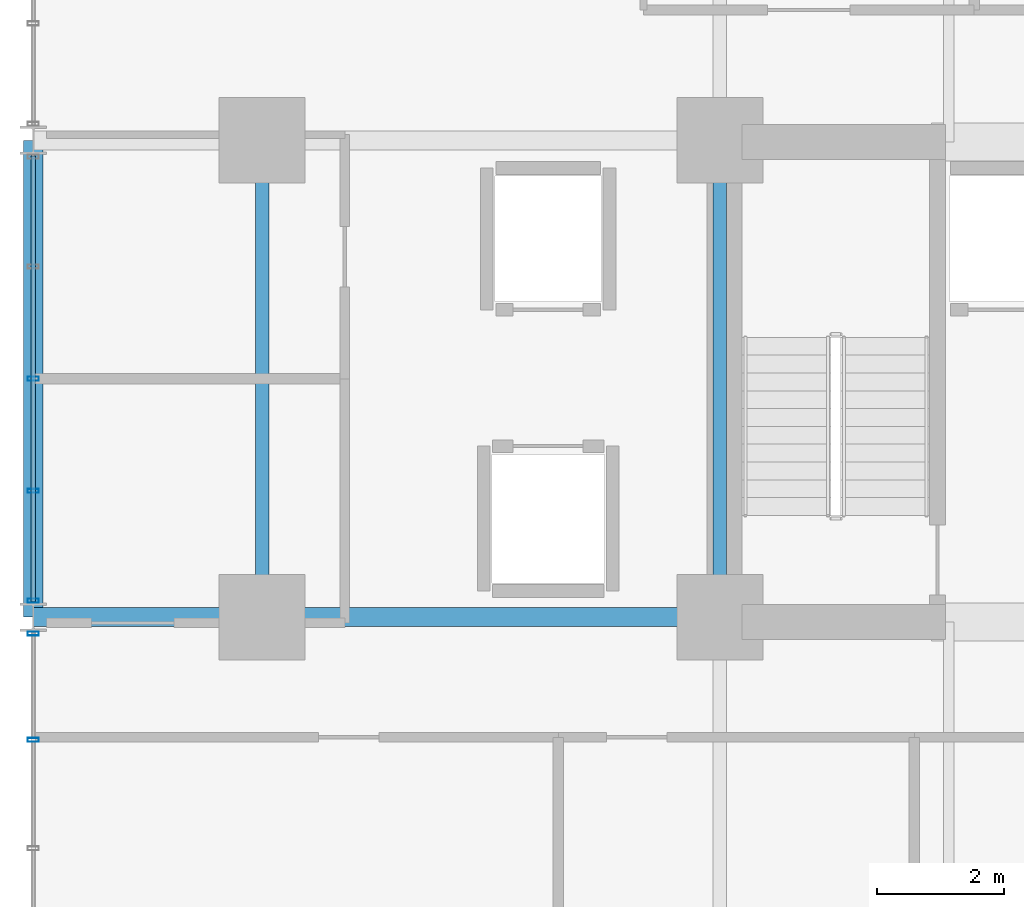
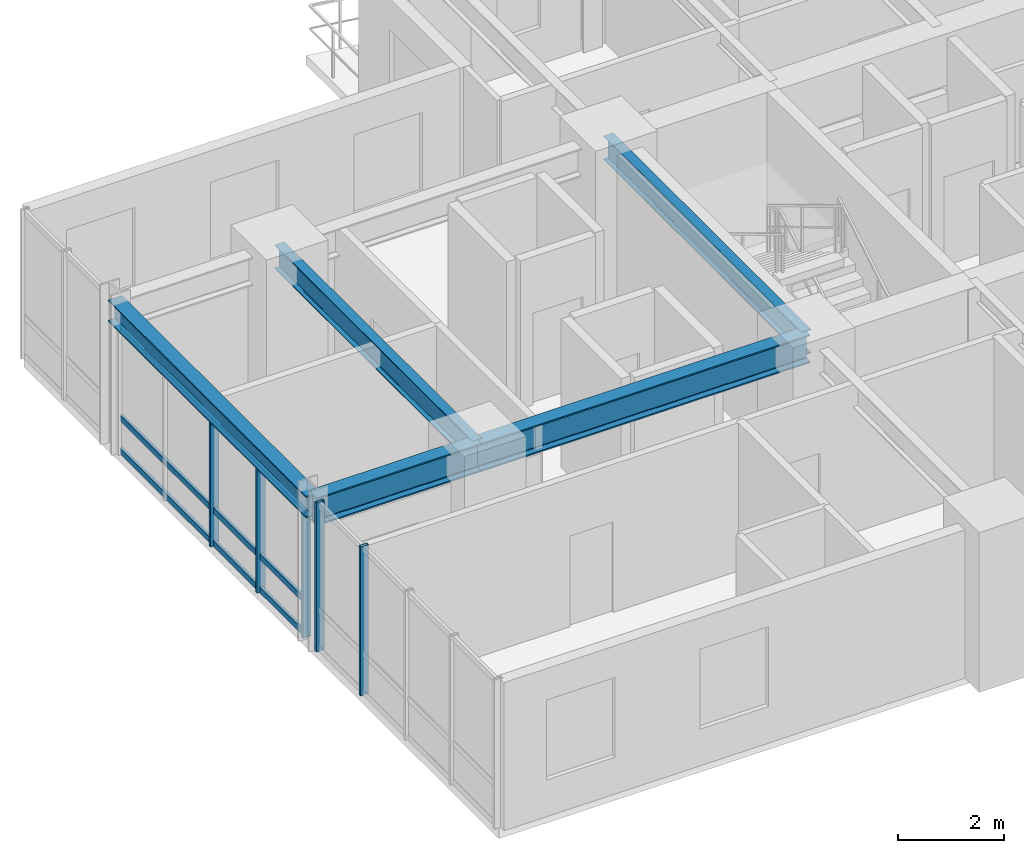
# One storey, part 4 of 17: 8 members, 5 beams, 2 elements without a shape of their own.
"""IFC4 building model written with IfcOpenShell, lengths in metres."""

from ifc_helpers import new_model, si_unit, direction, frame, origin, origin_2d, place, context, subcontext, project, spatial, hollow_rectangle, i_section, extrude, source, transform, mapped, material, layer, layer_set, material_profile, profile_set, type_object, element, aggregate, save


model = new_model("IFC4")

# Units and contexts
model_context = context("Model", 3, precision=1e-05, world=origin(), true_north=direction((0.0, 1.0)))
body_context = subcontext(model_context, "Body", "Model", "MODEL_VIEW")
ifc_project = project(units=[si_unit("LENGTHUNIT", "METRE"), si_unit("AREAUNIT", "SQUARE_METRE"), si_unit("VOLUMEUNIT", "CUBIC_METRE"), si_unit("PLANEANGLEUNIT", "RADIAN"), si_unit("MASSUNIT", "GRAM", prefix="KILO")], contexts=[model_context])

# Site, building, storey
site_placement = place(None, origin())
site = spatial("IfcSite", under=ifc_project, at=site_placement, CompositionType="ELEMENT")
building_placement = place(site_placement, origin())
building = spatial("IfcBuilding", under=site, at=building_placement, Name="Kaliganga Portal Commons", CompositionType="ELEMENT")
storey_placement = place(building_placement, frame((0.0, 0.0, 62.300048828125)))
storey = spatial("IfcBuildingStorey", under=building, at=storey_placement, Name="L15", CompositionType="ELEMENT", Elevation=62.300048828125)

# Beams
ifc_material_1 = material(Name="Structural steel S355J2", Category="steel")
ifc_material_profile_1 = material_profile(ifc_material_1, i_section(OverallWidth=0.300048828125, OverallDepth=0.5, WebThickness=0.014404296875, FlangeThickness=0.028076171875, FilletRadius=0.027099609375, at=origin_2d()), Name="HE 500 B")
ifc_profile_set_1 = profile_set([ifc_material_profile_1], Name="Structural steel S355J2 wide-flange")
beam_type_1 = type_object("IfcBeamType", Name="BM-SPAND-500", PredefinedType="SPANDREL", material=ifc_profile_set_1)
shared_shape_1 = source(origin(), body_context, "Body", "SweptSolid", [
    extrude(i_section(OverallWidth=0.300048828125, OverallDepth=0.5, WebThickness=0.014404296875, FlangeThickness=0.028076171875, FilletRadius=0.027099609375, at=origin_2d()), origin(), (0.0, 0.0, 1.0), 7.5),
])
beam_1_placement = place(storey_placement, frame((3.60009765625, 28.64990234375, 3.199951171875), z_axis=(0.0, 1.0, 0.0), x_axis=(-1.0, 0.0, 0.0)))
element("IfcBeam", 1, at=beam_1_placement, inside=storey, type_object=beam_type_1, Name="BM SP L15 AW", PredefinedType="SPANDREL", context=body_context, shape_type="MappedRepresentation", body=[
    mapped(shared_shape_1, transform((0.0, 0.0, 0.0), x_axis=(1.0, 0.0, 0.0), y_axis=(0.0, 1.0, 0.0), z_axis=(0.0, 0.0, 1.0), scale=1.0)),
])
ifc_material_profile_2 = material_profile(ifc_material_1, i_section(OverallWidth=0.300048828125, OverallDepth=0.64990234375, WebThickness=0.01611328125, FlangeThickness=0.031005859375, FilletRadius=0.027099609375, at=origin_2d()), Name="HE 650 B")
ifc_profile_set_2 = profile_set([ifc_material_profile_2], Name="Structural steel S355J2 wide-flange")
beam_type_2 = type_object("IfcBeamType", Name="BM-GIRD-650", PredefinedType="USERDEFINED", material=ifc_profile_set_2)
shared_shape_2 = source(origin(), body_context, "Body", "SweptSolid", [
    extrude(i_section(OverallWidth=0.300048828125, OverallDepth=0.64990234375, WebThickness=0.01611328125, FlangeThickness=0.031005859375, FilletRadius=0.027099609375, at=origin_2d()), origin(), (0.0, 0.0, 1.0), 3.599853515625),
])
beam_2_placement = place(storey_placement, frame((3.60009765625, 28.64990234375, 3.125), z_axis=(1.0, 0.0, 0.0), x_axis=(0.0, 1.0, 0.0)))
element("IfcBeam", 2, at=beam_2_placement, inside=storey, type_object=beam_type_2, Name="BM G L15 WAH_S 1", ObjectType="GIRDER", PredefinedType="USERDEFINED", context=body_context, shape_type="MappedRepresentation", body=[
    mapped(shared_shape_2, transform((0.0, 0.0, 0.0), x_axis=(1.0, 0.0, 0.0), y_axis=(0.0, 1.0, 0.0), z_axis=(0.0, 0.0, 1.0), scale=1.0)),
])
shared_shape_3 = source(origin(), body_context, "Body", "SweptSolid", [
    extrude(i_section(OverallWidth=0.300048828125, OverallDepth=0.64990234375, WebThickness=0.01611328125, FlangeThickness=0.031005859375, FilletRadius=0.027099609375, at=origin_2d()), origin(), (0.0, 0.0, 1.0), 7.199951171875),
])
beam_3_placement = place(storey_placement, frame((7.199951171875, 28.64990234375, 3.125), z_axis=(1.0, 0.0, 0.0), x_axis=(0.0, 1.0, 0.0)))
element("IfcBeam", 3, at=beam_3_placement, inside=storey, type_object=beam_type_2, Name="BM G L15 WAH_S 2", ObjectType="GIRDER", PredefinedType="USERDEFINED", context=body_context, shape_type="MappedRepresentation", body=[
    mapped(shared_shape_3, transform((0.0, 0.0, 0.0), x_axis=(1.0, 0.0, 0.0), y_axis=(0.0, 1.0, 0.0), z_axis=(0.0, 0.0, 1.0), scale=1.0)),
])
ifc_material_profile_3 = material_profile(ifc_material_1, i_section(OverallWidth=0.2099609375, OverallDepth=0.550048828125, WebThickness=0.010986328125, FlangeThickness=0.01708984375, FilletRadius=0.02392578125, at=origin_2d()), Name="IPE 550")
ifc_profile_set_3 = profile_set([ifc_material_profile_3], Name="Structural steel S355J2 wide-flange")
beam_type_3 = type_object("IfcBeamType", Name="BM-FLR-550", PredefinedType="BEAM", material=ifc_profile_set_3)
shared_shape_4 = source(origin(), body_context, "Body", "SweptSolid", [
    extrude(i_section(OverallWidth=0.2099609375, OverallDepth=0.550048828125, WebThickness=0.010986328125, FlangeThickness=0.01708984375, FilletRadius=0.02392578125, at=origin_2d()), origin(), (0.0, 0.0, 1.0), 7.5),
])
for number, where, z_axis, x_axis, name in (
    (4, (7.199951171875, 28.64990234375, 3.175048828125), (0.0, 1.0, 0.0), (-1.0, 0.0, 0.0), "BM G L15 AW72"),
    (5, (14.39990234375, 28.64990234375, 3.175048828125), (0.0, 1.0, 0.0), (-1.0, 0.0, 0.0), "BM G L15 AM144"),
):
    element("IfcBeam", number, at=place(storey_placement, frame(where, z_axis=z_axis, x_axis=x_axis)), inside=storey, type_object=beam_type_3, Name=name, PredefinedType="BEAM", context=body_context, shape_type="MappedRepresentation", body=[
        mapped(shared_shape_4, transform((0.0, 0.0, 0.0), x_axis=(1.0, 0.0, 0.0), y_axis=(0.0, 1.0, 0.0), z_axis=(0.0, 0.0, 1.0), scale=1.0)),
    ])

# Curtain wall, members
ifc_material_2 = material(Name="Anodized Aluminium and Laminated Low-E Glass", Category="aluminium")
ifc_layer = layer(ifc_material_2, 0.199951171875)
ifc_layer_set = layer_set([ifc_layer], Name="Anodized Aluminium and Laminated Low-E Glass")
curtain_wall_type = type_object("IfcCurtainWallType", Name="CW-SYS-02", PredefinedType="NOTDEFINED", material=ifc_layer_set)
curtain_wall_1_placement = place(storey_placement, origin())
curtain_wall_1 = element("IfcCurtainWall", 6, at=curtain_wall_1_placement, inside=storey, type_object=curtain_wall_type, Name="CW 02 L15 P1E09S3", PredefinedType="NOTDEFINED")
ifc_material_3 = material(Name="Dark Bronze Anodized Aluminium", Category="aluminium")
ifc_material_profile_4 = material_profile(ifc_material_3, hollow_rectangle(XDim=0.06494140625, YDim=0.179931640625, WallThickness=0.00390625, at=origin_2d()), Name="ALU MULL 65x180x4")
ifc_profile_set_4 = profile_set([ifc_material_profile_4], Name="Dark Bronze Anodized Aluminium")
member_type_1 = type_object("IfcMemberType", Name="CW-MUL-180", PredefinedType="MULLION", material=ifc_profile_set_4)
shared_shape_5 = source(origin(), body_context, "Body", "SweptSolid", [
    extrude(hollow_rectangle(XDim=0.06494140625, YDim=0.179931640625, WallThickness=0.00390625, at=origin_2d()), origin(), (0.0, 0.0, 1.0), 3.449951171875),
])
member_1_placement = place(storey_placement, frame((3.60009765625, 28.39111328125, 0.0), z_axis=(0.0, 0.0, 1.0), x_axis=(0.0, -1.0, 0.0)))
member_1 = element("IfcMember", 7, at=member_1_placement, type_object=member_type_1, Name="CW:02:L15:P1E09S3 Mullion 00", PredefinedType="MULLION", context=body_context, shape_type="MappedRepresentation", body=[
    mapped(shared_shape_5, transform((0.0, 0.0, 0.0), x_axis=(1.0, 0.0, 0.0), y_axis=(0.0, 1.0, 0.0), z_axis=(0.0, 0.0, 1.0), scale=1.0)),
])
member_2_placement = place(storey_placement, frame((3.60009765625, 26.719482421875, 0.0), z_axis=(0.0, 0.0, 1.0), x_axis=(0.0, -1.0, 0.0)))
member_2 = element("IfcMember", 8, at=member_2_placement, type_object=member_type_1, Name="CW:02:L15:P1E09S3 Mullion 01", PredefinedType="MULLION", context=body_context, shape_type="MappedRepresentation", body=[
    mapped(shared_shape_5, transform((0.0, 0.0, 0.0), x_axis=(1.0, 0.0, 0.0), y_axis=(0.0, 1.0, 0.0), z_axis=(0.0, 0.0, 1.0), scale=1.0)),
])
aggregate(curtain_wall_1, [member_1, member_2])

curtain_wall_2_placement = place(storey_placement, origin())
curtain_wall_2 = element("IfcCurtainWall", 9, at=curtain_wall_2_placement, inside=storey, type_object=curtain_wall_type, Name="CW 02 L15 P1E09S2", PredefinedType="NOTDEFINED")
shared_shape_6 = source(origin(), body_context, "Body", "SweptSolid", [
    extrude(hollow_rectangle(XDim=0.06494140625, YDim=0.179931640625, WallThickness=0.00390625, at=origin_2d()), origin(), (0.0, 0.0, 1.0), 2.949951171875),
])
member_3_placement = place(storey_placement, frame((3.60009765625, 32.39990234375, 0.0), z_axis=(0.0, 0.0, 1.0), x_axis=(0.0, -1.0, 0.0)))
member_3 = element("IfcMember", 10, at=member_3_placement, type_object=member_type_1, Name="CW:02:L15:P1E09S2 Mullion 02", PredefinedType="MULLION", context=body_context, shape_type="MappedRepresentation", body=[
    mapped(shared_shape_6, transform((0.0, 0.0, 0.0), x_axis=(1.0, 0.0, 0.0), y_axis=(0.0, 1.0, 0.0), z_axis=(0.0, 0.0, 1.0), scale=1.0)),
])
member_4_placement = place(storey_placement, frame((3.60009765625, 30.636962890625, 0.0), z_axis=(0.0, 0.0, 1.0), x_axis=(0.0, -1.0, 0.0)))
member_4 = element("IfcMember", 11, at=member_4_placement, type_object=member_type_1, Name="CW:02:L15:P1E09S2 Mullion 03", PredefinedType="MULLION", context=body_context, shape_type="MappedRepresentation", body=[
    mapped(shared_shape_6, transform((0.0, 0.0, 0.0), x_axis=(1.0, 0.0, 0.0), y_axis=(0.0, 1.0, 0.0), z_axis=(0.0, 0.0, 1.0), scale=1.0)),
])
member_5_placement = place(storey_placement, frame((3.60009765625, 28.908935546875, 0.0), z_axis=(0.0, 0.0, 1.0), x_axis=(0.0, -1.0, 0.0)))
member_5 = element("IfcMember", 12, at=member_5_placement, type_object=member_type_1, Name="CW:02:L15:P1E09S2 Mullion 04", PredefinedType="MULLION", context=body_context, shape_type="MappedRepresentation", body=[
    mapped(shared_shape_6, transform((0.0, 0.0, 0.0), x_axis=(1.0, 0.0, 0.0), y_axis=(0.0, 1.0, 0.0), z_axis=(0.0, 0.0, 1.0), scale=1.0)),
])
ifc_material_profile_5 = material_profile(ifc_material_3, hollow_rectangle(XDim=0.06494140625, YDim=0.135009765625, WallThickness=0.00341796875, at=origin_2d()), Name="ALU TRAN 65x135x3.5")
ifc_profile_set_5 = profile_set([ifc_material_profile_5], Name="Dark Bronze Anodized Aluminium")
member_type_2 = type_object("IfcMemberType", Name="CW-TRN-135", PredefinedType="USERDEFINED", material=ifc_profile_set_5)
shared_shape_7 = source(origin(), body_context, "Body", "SweptSolid", [
    extrude(hollow_rectangle(XDim=0.06494140625, YDim=0.135009765625, WallThickness=0.00341796875, at=origin_2d()), origin(), (0.0, 0.0, 1.0), 7.011962890625),
])
member_6_placement = place(storey_placement, frame((3.60009765625, 35.906005859375, 0.06005859375), z_axis=(0.0, -1.0, 0.0), x_axis=(1.0, 0.0, 0.0)))
member_6 = element("IfcMember", 13, at=member_6_placement, type_object=member_type_2, Name="CW:02:L15:P1E09S2 Transom 1", ObjectType="TRANSOM", PredefinedType="USERDEFINED", context=body_context, shape_type="MappedRepresentation", body=[
    mapped(shared_shape_7, transform((0.0, 0.0, 0.0), x_axis=(1.0, 0.0, 0.0), y_axis=(0.0, 1.0, 0.0), z_axis=(0.0, 0.0, 1.0), scale=1.0)),
])
member_7_placement = place(storey_placement, frame((3.60009765625, 35.906005859375, 0.825927734375), z_axis=(0.0, -1.0, 0.0), x_axis=(1.0, 0.0, 0.0)))
member_7 = element("IfcMember", 14, at=member_7_placement, type_object=member_type_2, Name="CW:02:L15:P1E09S2 Transom 2", ObjectType="TRANSOM", PredefinedType="USERDEFINED", context=body_context, shape_type="MappedRepresentation", body=[
    mapped(shared_shape_7, transform((0.0, 0.0, 0.0), x_axis=(1.0, 0.0, 0.0), y_axis=(0.0, 1.0, 0.0), z_axis=(0.0, 0.0, 1.0), scale=1.0)),
])
member_8_placement = place(storey_placement, frame((3.60009765625, 35.906005859375, 2.869873046875), z_axis=(0.0, -1.0, 0.0), x_axis=(1.0, 0.0, 0.0)))
member_8 = element("IfcMember", 15, at=member_8_placement, type_object=member_type_2, Name="CW:02:L15:P1E09S2 Transom 3", ObjectType="TRANSOM", PredefinedType="USERDEFINED", context=body_context, shape_type="MappedRepresentation", body=[
    mapped(shared_shape_7, transform((0.0, 0.0, 0.0), x_axis=(1.0, 0.0, 0.0), y_axis=(0.0, 1.0, 0.0), z_axis=(0.0, 0.0, 1.0), scale=1.0)),
])
aggregate(curtain_wall_2, [member_3, member_4, member_5, member_6, member_7, member_8])

save(model, "model.ifc")
